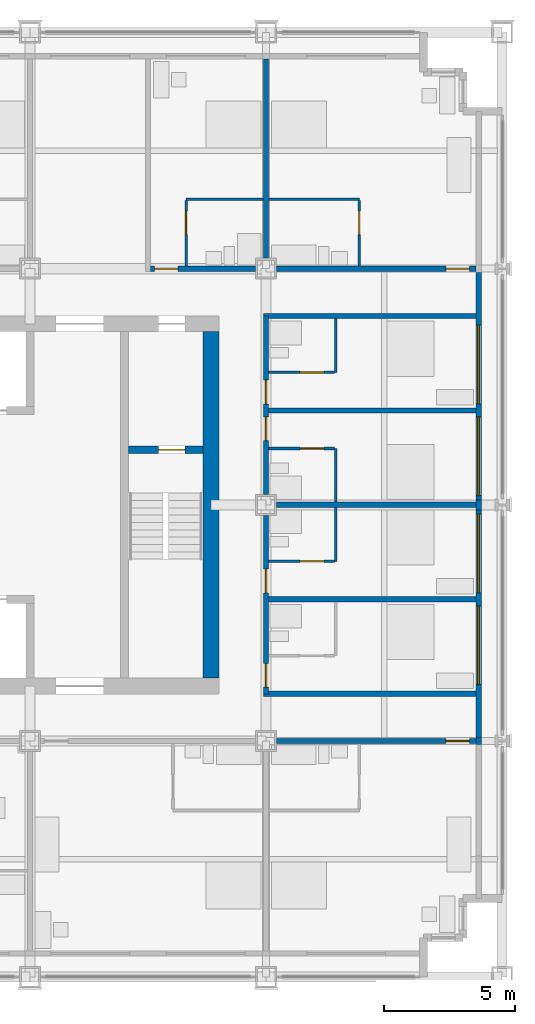
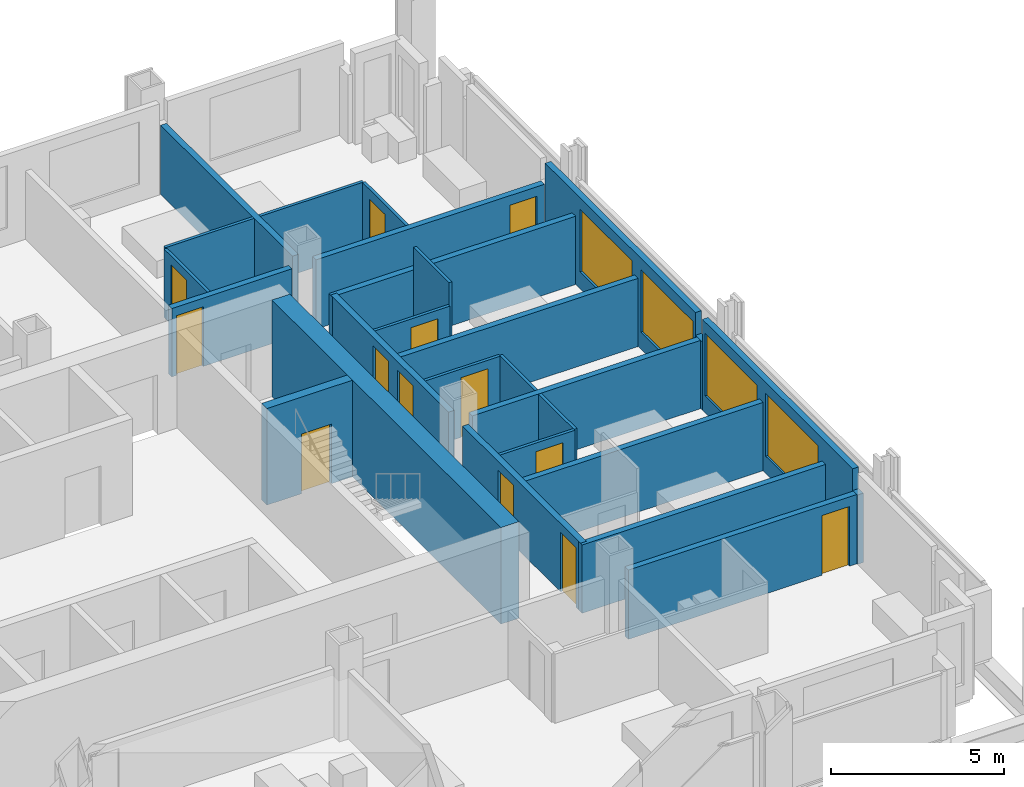
# One storey, part 12 of 16: 27 walls, 13 doors, 4 windows, 17 openings.
"""IFC4 building model written with IfcOpenShell, lengths in metres."""

from ifc_helpers import new_model, si_unit, direction, frame, frame_2d, origin, place, context, subcontext, project, spatial, rectangle, extrude, material, layer, layer_set, type_object, element, fill, save


model = new_model("IFC4")

# Units and contexts
model_context = context("Model", 3, precision=1e-05, world=origin(), true_north=direction((0.0, 1.0)))
body_context = subcontext(model_context, "Body", "Model", "MODEL_VIEW")
ifc_project = project(units=[si_unit("LENGTHUNIT", "METRE"), si_unit("AREAUNIT", "SQUARE_METRE"), si_unit("VOLUMEUNIT", "CUBIC_METRE"), si_unit("PLANEANGLEUNIT", "RADIAN"), si_unit("MASSUNIT", "GRAM", prefix="KILO")], contexts=[model_context])

# Site, building, storey
site_placement = place(None, origin())
site = spatial("IfcSite", under=ifc_project, at=site_placement, CompositionType="ELEMENT")
building_placement = place(site_placement, origin())
building = spatial("IfcBuilding", under=site, at=building_placement, Name="Loomwork Tower", CompositionType="ELEMENT")
storey_placement = place(building_placement, frame((0.0, 0.0, 114.60009765625)))
storey = spatial("IfcBuildingStorey", under=building, at=storey_placement, Name="L30", CompositionType="ELEMENT", Elevation=114.60009765625)

# Wall, opening, door
ifc_material_1 = material(Name="Concrete 14000 psi (97 MPa)", Category="concrete")
ifc_layer_1 = layer(ifc_material_1, 0.300048828125)
ifc_layer_set_1 = layer_set([ifc_layer_1], Name="Core shear wall 300")
wall_type_1 = type_object("IfcWallType", Name="Core shear wall 300", PredefinedType="SHEAR", material=ifc_layer_set_1)
wall_1_placement = place(storey_placement, frame((30.75, 20.10009765625, 0.0), z_axis=(0.0, 0.0, 1.0), x_axis=(1.0, 0.0, 0.0)))
wall_1 = element("IfcWall", 1, at=wall_1_placement, inside=storey, type_object=wall_type_1, Name="Stair B north wall L30", PredefinedType="SHEAR", context=body_context, shape_type="SweptSolid", body=[
    extrude(rectangle(XDim=2.85009765625, YDim=0.300048828125, at=frame_2d((1.425048828125, 0.0))), origin(), (0.0, 0.0, 1.0), 3.39990234375),
])
opening_1_placement = place(wall_1_placement, frame((1.14990234375, 0.0, 0.0)))
opening_1 = element("IfcOpeningElement", 2, at=opening_1_placement, cuts=wall_1, Name="Opening D4", PredefinedType="OPENING", context=body_context, shape_type="SweptSolid", body=[
    extrude(rectangle(XDim=1.0, YDim=2.10009765625, at=frame_2d((0.5, 1.050048828125))), frame((0.0, 0.159912109375, 0.0), z_axis=(0.0, -1.0, 0.0), x_axis=(1.0, 0.0, 0.0)), (0.0, 0.0, 1.0), 0.320068359375),
])
ifc_material_2 = material(Name="Hollow metal door and frame")
door_type_1 = type_object("IfcDoorType", Name="Stair door 1000", OperationType="SINGLE_SWING_RIGHT", PredefinedType="DOOR", material=ifc_material_2)
door_1_placement = place(opening_1_placement, frame((1.0, 0.0, 0.0), z_axis=(0.0, 0.0, 1.0), x_axis=(-1.0, 0.0, 0.0)))
door_1 = element("IfcDoor", 3, at=door_1_placement, inside=storey, type_object=door_type_1, Name="Stair B door", OperationType="SINGLE_SWING_LEFT", OverallHeight=2.10009765625, OverallWidth=1.0, PredefinedType="DOOR", context=body_context, shape_type="SweptSolid", body=[
    extrude(rectangle(XDim=1.0, YDim=2.10009765625, at=frame_2d((0.5, 1.050048828125))), frame((0.0, 0.02490234375, 0.0), z_axis=(0.0, -1.0, 0.0), x_axis=(1.0, 0.0, 0.0)), (0.0, 0.0, 1.0), 0.050048828125),
])
fill(opening_1, door_1)

# Wall
ifc_material_3 = material(Name="Concrete 14000 psi (97 MPa)", Category="concrete")
ifc_layer_2 = layer(ifc_material_3, 0.60009765625)
ifc_layer_set_2 = layer_set([ifc_layer_2], Name="Core shear wall 600")
wall_type_2 = type_object("IfcWallType", Name="Core shear wall 600", PredefinedType="SHEAR", material=ifc_layer_set_2)
wall_2_placement = place(storey_placement, frame((33.89990234375, 11.39990234375, 0.0), z_axis=(0.0, 0.0, 1.0), x_axis=(0.0, 1.0, 0.0)))
element("IfcWall", 4, at=wall_2_placement, inside=storey, type_object=wall_type_2, Name="Core wall east L30", PredefinedType="SHEAR", context=body_context, shape_type="SweptSolid", body=[
    extrude(rectangle(XDim=13.2001953125, YDim=0.60009765625, at=frame_2d((6.60009765625, 0.0))), origin(), (0.0, 0.0, 1.0), 3.39990234375),
])

# Wall, opening, door
ifc_material_4 = material(Name="Gypsum board on steel studs, one-hour", Category="steel")
ifc_layer_3 = layer(ifc_material_4, 0.199951171875)
ifc_layer_set_3 = layer_set([ifc_layer_3], Name="Corridor wall 200")
wall_type_3 = type_object("IfcWallType", Name="Corridor wall 200", PredefinedType="PARTITIONING", material=ifc_layer_set_3)
wall_3_placement = place(storey_placement, frame((36.39990234375, 9.0, 0.0), z_axis=(0.0, 0.0, 1.0), x_axis=(1.0, 0.0, 0.0)))
wall_3 = element("IfcWall", 5, at=wall_3_placement, inside=storey, type_object=wall_type_3, Name="South corridor wall 5", PredefinedType="PARTITIONING", context=body_context, shape_type="SweptSolid", body=[
    extrude(rectangle(XDim=7.60009765625, YDim=0.199951171875, at=frame_2d((3.800048828125, 0.0))), origin(), (0.0, 0.0, 1.0), 2.43798828125),
])
opening_2_placement = place(wall_3_placement, frame((6.449951171875, 0.0, 0.0)))
opening_2 = element("IfcOpeningElement", 6, at=opening_2_placement, cuts=wall_3, Name="Opening D1", PredefinedType="OPENING", context=body_context, shape_type="SweptSolid", body=[
    extrude(rectangle(XDim=0.89990234375, YDim=2.10009765625, at=frame_2d((0.449951171875, 1.050048828125))), frame((0.0, 0.10986328125, 0.0), z_axis=(0.0, -1.0, 0.0), x_axis=(1.0, 0.0, 0.0)), (0.0, 0.0, 1.0), 0.219970703125),
])
ifc_material_5 = material(Name="Hollow metal door and frame")
door_type_2 = type_object("IfcDoorType", Name="Guest room entry door 900", OperationType="SINGLE_SWING_LEFT", PredefinedType="DOOR", material=ifc_material_5)
door_2_placement = place(opening_2_placement, frame((0.89990234375, 0.0, 0.0), z_axis=(0.0, 0.0, 1.0), x_axis=(-1.0, 0.0, 0.0)))
door_2 = element("IfcDoor", 7, at=door_2_placement, inside=storey, type_object=door_type_2, Name="Guest room entry door L30 5", OperationType="SINGLE_SWING_LEFT", OverallHeight=2.10009765625, OverallWidth=0.89990234375, PredefinedType="DOOR", context=body_context, shape_type="SweptSolid", body=[
    extrude(rectangle(XDim=0.89990234375, YDim=2.10009765625, at=frame_2d((0.449951171875, 1.050048828125))), frame((0.0, 0.02490234375, 0.0), z_axis=(0.0, -1.0, 0.0), x_axis=(1.0, 0.0, 0.0)), (0.0, 0.0, 1.0), 0.050048828125),
])
fill(opening_2, door_2)

wall_4_placement = place(storey_placement, frame((31.60009765625, 27.0, 0.0), z_axis=(0.0, 0.0, 1.0), x_axis=(1.0, 0.0, 0.0)))
wall_4 = element("IfcWall", 8, at=wall_4_placement, inside=storey, type_object=wall_type_3, Name="North corridor wall 4", PredefinedType="PARTITIONING", context=body_context, shape_type="SweptSolid", body=[
    extrude(rectangle(XDim=4.0, YDim=0.199951171875, at=frame_2d((2.0, 0.0))), origin(), (0.0, 0.0, 1.0), 2.40478515625),
])
opening_3_placement = place(wall_4_placement, frame((0.14990234375, 0.0, 0.0)))
opening_3 = element("IfcOpeningElement", 9, at=opening_3_placement, cuts=wall_4, Name="Opening D1", PredefinedType="OPENING", context=body_context, shape_type="SweptSolid", body=[
    extrude(rectangle(XDim=0.89990234375, YDim=2.10009765625, at=frame_2d((0.449951171875, 1.050048828125))), frame((0.0, 0.10986328125, 0.0), z_axis=(0.0, -1.0, 0.0), x_axis=(1.0, 0.0, 0.0)), (0.0, 0.0, 1.0), 0.219970703125),
])
door_3_placement = place(opening_3_placement, origin())
door_3 = element("IfcDoor", 10, at=door_3_placement, inside=storey, type_object=door_type_2, Name="Guest room entry door L30 9", OperationType="SINGLE_SWING_LEFT", OverallHeight=2.10009765625, OverallWidth=0.89990234375, PredefinedType="DOOR", context=body_context, shape_type="SweptSolid", body=[
    extrude(rectangle(XDim=0.89990234375, YDim=2.10009765625, at=frame_2d((0.449951171875, 1.050048828125))), frame((0.0, 0.02490234375, 0.0), z_axis=(0.0, -1.0, 0.0), x_axis=(1.0, 0.0, 0.0)), (0.0, 0.0, 1.0), 0.050048828125),
])
fill(opening_3, door_3)

wall_5_placement = place(storey_placement, frame((36.39990234375, 27.0, 0.0), z_axis=(0.0, 0.0, 1.0), x_axis=(1.0, 0.0, 0.0)))
wall_5 = element("IfcWall", 11, at=wall_5_placement, inside=storey, type_object=wall_type_3, Name="North corridor wall 5", PredefinedType="PARTITIONING", context=body_context, shape_type="SweptSolid", body=[
    extrude(rectangle(XDim=7.60009765625, YDim=0.199951171875, at=frame_2d((3.800048828125, 0.0))), origin(), (0.0, 0.0, 1.0), 2.43798828125),
])
opening_4_placement = place(wall_5_placement, frame((6.449951171875, 0.0, 0.0)))
opening_4 = element("IfcOpeningElement", 12, at=opening_4_placement, cuts=wall_5, Name="Opening D1", PredefinedType="OPENING", context=body_context, shape_type="SweptSolid", body=[
    extrude(rectangle(XDim=0.89990234375, YDim=2.10009765625, at=frame_2d((0.449951171875, 1.050048828125))), frame((0.0, 0.10986328125, 0.0), z_axis=(0.0, -1.0, 0.0), x_axis=(1.0, 0.0, 0.0)), (0.0, 0.0, 1.0), 0.219970703125),
])
door_4_placement = place(opening_4_placement, origin())
door_4 = element("IfcDoor", 13, at=door_4_placement, inside=storey, type_object=door_type_2, Name="Guest room entry door L30 10", OperationType="SINGLE_SWING_RIGHT", OverallHeight=2.10009765625, OverallWidth=0.89990234375, PredefinedType="DOOR", context=body_context, shape_type="SweptSolid", body=[
    extrude(rectangle(XDim=0.89990234375, YDim=2.10009765625, at=frame_2d((0.449951171875, 1.050048828125))), frame((0.0, 0.02490234375, 0.0), z_axis=(0.0, -1.0, 0.0), x_axis=(1.0, 0.0, 0.0)), (0.0, 0.0, 1.0), 0.050048828125),
])
fill(opening_4, door_4)

# Wall, openings, doors
wall_6_placement = place(storey_placement, frame((36.0, 10.800048828125, 0.0), z_axis=(0.0, 0.0, 1.0), x_axis=(0.0, 1.0, 0.0)))
wall_6 = element("IfcWall", 14, at=wall_6_placement, inside=storey, type_object=wall_type_3, Name="East corridor wall 1", PredefinedType="PARTITIONING", context=body_context, shape_type="SweptSolid", body=[
    extrude(rectangle(XDim=6.800048828125, YDim=0.199951171875, at=frame_2d((3.39990234375, 0.0))), origin(), (0.0, 0.0, 1.0), 2.40478515625),
])
opening_5_placement = place(wall_6_placement, frame((0.25, 0.0, 0.0)))
opening_5 = element("IfcOpeningElement", 15, at=opening_5_placement, cuts=wall_6, Name="Opening D1", PredefinedType="OPENING", context=body_context, shape_type="SweptSolid", body=[
    extrude(rectangle(XDim=0.89990234375, YDim=2.10009765625, at=frame_2d((0.449951171875, 1.050048828125))), frame((0.0, 0.10986328125, 0.0), z_axis=(0.0, -1.0, 0.0), x_axis=(1.0, 0.0, 0.0)), (0.0, 0.0, 1.0), 0.219970703125),
])
opening_6_placement = place(wall_6_placement, frame((3.85009765625, 0.0, 0.0)))
opening_6 = element("IfcOpeningElement", 16, at=opening_6_placement, cuts=wall_6, Name="Opening D1", PredefinedType="OPENING", context=body_context, shape_type="SweptSolid", body=[
    extrude(rectangle(XDim=0.89990234375, YDim=2.10009765625, at=frame_2d((0.449951171875, 1.050048828125))), frame((0.0, 0.10986328125, 0.0), z_axis=(0.0, -1.0, 0.0), x_axis=(1.0, 0.0, 0.0)), (0.0, 0.0, 1.0), 0.219970703125),
])
door_5_placement = place(opening_5_placement, frame((0.89990234375, 0.0, 0.0), z_axis=(0.0, 0.0, 1.0), x_axis=(-1.0, 0.0, 0.0)))
door_5 = element("IfcDoor", 17, at=door_5_placement, inside=storey, type_object=door_type_2, Name="Guest room entry door L30 15", OperationType="SINGLE_SWING_RIGHT", OverallHeight=2.10009765625, OverallWidth=0.89990234375, PredefinedType="DOOR", context=body_context, shape_type="SweptSolid", body=[
    extrude(rectangle(XDim=0.89990234375, YDim=2.10009765625, at=frame_2d((0.449951171875, 1.050048828125))), frame((0.0, 0.02490234375, 0.0), z_axis=(0.0, -1.0, 0.0), x_axis=(1.0, 0.0, 0.0)), (0.0, 0.0, 1.0), 0.050048828125),
])
fill(opening_5, door_5)
door_6_placement = place(opening_6_placement, frame((0.89990234375, 0.0, 0.0), z_axis=(0.0, 0.0, 1.0), x_axis=(-1.0, 0.0, 0.0)))
door_6 = element("IfcDoor", 18, at=door_6_placement, inside=storey, type_object=door_type_2, Name="Guest room entry door L30 16", OperationType="SINGLE_SWING_RIGHT", OverallHeight=2.10009765625, OverallWidth=0.89990234375, PredefinedType="DOOR", context=body_context, shape_type="SweptSolid", body=[
    extrude(rectangle(XDim=0.89990234375, YDim=2.10009765625, at=frame_2d((0.449951171875, 1.050048828125))), frame((0.0, 0.02490234375, 0.0), z_axis=(0.0, -1.0, 0.0), x_axis=(1.0, 0.0, 0.0)), (0.0, 0.0, 1.0), 0.050048828125),
])
fill(opening_6, door_6)

wall_7_placement = place(storey_placement, frame((36.0, 18.39990234375, 0.0), z_axis=(0.0, 0.0, 1.0), x_axis=(0.0, 1.0, 0.0)))
wall_7 = element("IfcWall", 19, at=wall_7_placement, inside=storey, type_object=wall_type_3, Name="East corridor wall 2", PredefinedType="PARTITIONING", context=body_context, shape_type="SweptSolid", body=[
    extrude(rectangle(XDim=6.800048828125, YDim=0.199951171875, at=frame_2d((3.39990234375, 0.0))), origin(), (0.0, 0.0, 1.0), 2.40478515625),
])
opening_7_placement = place(wall_7_placement, frame((2.050048828125, 0.0, 0.0)))
opening_7 = element("IfcOpeningElement", 20, at=opening_7_placement, cuts=wall_7, Name="Opening D1", PredefinedType="OPENING", context=body_context, shape_type="SweptSolid", body=[
    extrude(rectangle(XDim=0.89990234375, YDim=2.10009765625, at=frame_2d((0.449951171875, 1.050048828125))), frame((0.0, 0.10986328125, 0.0), z_axis=(0.0, -1.0, 0.0), x_axis=(1.0, 0.0, 0.0)), (0.0, 0.0, 1.0), 0.219970703125),
])
opening_8_placement = place(wall_7_placement, frame((3.449951171875, 0.0, 0.0)))
opening_8 = element("IfcOpeningElement", 21, at=opening_8_placement, cuts=wall_7, Name="Opening D1", PredefinedType="OPENING", context=body_context, shape_type="SweptSolid", body=[
    extrude(rectangle(XDim=0.89990234375, YDim=2.10009765625, at=frame_2d((0.449951171875, 1.050048828125))), frame((0.0, 0.10986328125, 0.0), z_axis=(0.0, -1.0, 0.0), x_axis=(1.0, 0.0, 0.0)), (0.0, 0.0, 1.0), 0.219970703125),
])
door_7_placement = place(opening_7_placement, frame((0.89990234375, 0.0, 0.0), z_axis=(0.0, 0.0, 1.0), x_axis=(-1.0, 0.0, 0.0)))
door_7 = element("IfcDoor", 22, at=door_7_placement, inside=storey, type_object=door_type_2, Name="Guest room entry door L30 17", OperationType="SINGLE_SWING_LEFT", OverallHeight=2.10009765625, OverallWidth=0.89990234375, PredefinedType="DOOR", context=body_context, shape_type="SweptSolid", body=[
    extrude(rectangle(XDim=0.89990234375, YDim=2.10009765625, at=frame_2d((0.449951171875, 1.050048828125))), frame((0.0, 0.02490234375, 0.0), z_axis=(0.0, -1.0, 0.0), x_axis=(1.0, 0.0, 0.0)), (0.0, 0.0, 1.0), 0.050048828125),
])
fill(opening_7, door_7)
door_8_placement = place(opening_8_placement, frame((0.89990234375, 0.0, 0.0), z_axis=(0.0, 0.0, 1.0), x_axis=(-1.0, 0.0, 0.0)))
door_8 = element("IfcDoor", 23, at=door_8_placement, inside=storey, type_object=door_type_2, Name="Guest room entry door L30 18", OperationType="SINGLE_SWING_RIGHT", OverallHeight=2.10009765625, OverallWidth=0.89990234375, PredefinedType="DOOR", context=body_context, shape_type="SweptSolid", body=[
    extrude(rectangle(XDim=0.89990234375, YDim=2.10009765625, at=frame_2d((0.449951171875, 1.050048828125))), frame((0.0, 0.02490234375, 0.0), z_axis=(0.0, -1.0, 0.0), x_axis=(1.0, 0.0, 0.0)), (0.0, 0.0, 1.0), 0.050048828125),
])
fill(opening_8, door_8)

# Walls
for number, where, z_axis, x_axis, name in (
    (24, (35.89990234375, 10.800048828125, 0.0), (0.0, 0.0, 1.0), (1.0, 0.0, 0.0), "East band end wall S"),
    (25, (35.89990234375, 25.199951171875, 0.0), (0.0, 0.0, 1.0), (1.0, 0.0, 0.0), "East band end wall N"),
):
    element("IfcWall", number, at=place(storey_placement, frame(where, z_axis=z_axis, x_axis=x_axis)), inside=storey, type_object=wall_type_3, Name=name, PredefinedType="PARTITIONING", context=body_context, shape_type="SweptSolid", body=[
        extrude(rectangle(XDim=8.10009765625, YDim=0.199951171875, at=frame_2d((4.050048828125, 0.0))), origin(), (0.0, 0.0, 1.0), 2.40380859375),
    ])
ifc_material_6 = material(Name="Cement board on steel studs", Category="steel")
ifc_layer_4 = layer(ifc_material_6, 0.10009765625)
ifc_layer_set_4 = layer_set([ifc_layer_4], Name="En-suite partition 100")
wall_type_4 = type_object("IfcWallType", Name="En-suite partition 100", PredefinedType="PARTITIONING", material=ifc_layer_set_4)
wall_8_placement = place(storey_placement, frame((32.949951171875, 29.64990234375, 0.0), z_axis=(0.0, 0.0, 1.0), x_axis=(1.0, 0.0, 0.0)))
element("IfcWall", 26, at=wall_8_placement, inside=storey, type_object=wall_type_4, Name="En-suite wall L30 room 9", PredefinedType="PARTITIONING", context=body_context, shape_type="SweptSolid", body=[
    extrude(rectangle(XDim=2.949951171875, YDim=0.10009765625, at=frame_2d((1.47509765625, 0.0))), origin(), (0.0, 0.0, 1.0), 2.43798828125),
])

# Wall, opening, door
wall_9_placement = place(storey_placement, frame((32.949951171875, 27.10009765625, 0.0), z_axis=(0.0, 0.0, 1.0), x_axis=(0.0, 1.0, 0.0)))
wall_9 = element("IfcWall", 27, at=wall_9_placement, inside=storey, type_object=wall_type_4, Name="En-suite side wall L30 room 9", PredefinedType="PARTITIONING", context=body_context, shape_type="SweptSolid", body=[
    extrude(rectangle(XDim=2.5, YDim=0.10009765625, at=frame_2d((1.25, 0.0))), origin(), (0.0, 0.0, 1.0), 2.40380859375),
])
opening_9_placement = place(wall_9_placement, frame((1.199951171875, 0.0, 0.0)))
opening_9 = element("IfcOpeningElement", 28, at=opening_9_placement, cuts=wall_9, Name="Opening D2", PredefinedType="OPENING", context=body_context, shape_type="SweptSolid", body=[
    extrude(rectangle(XDim=0.89990234375, YDim=2.10009765625, at=frame_2d((0.449951171875, 1.050048828125))), frame((0.0, 0.06005859375, 0.0), z_axis=(0.0, -1.0, 0.0), x_axis=(1.0, 0.0, 0.0)), (0.0, 0.0, 1.0), 0.1201171875),
])
ifc_material_7 = material(Name="Hollow metal door and frame")
door_type_3 = type_object("IfcDoorType", Name="En-suite door 900", OperationType="SINGLE_SWING_LEFT", PredefinedType="DOOR", material=ifc_material_7)
door_9_placement = place(opening_9_placement, frame((0.89990234375, 0.0, 0.0), z_axis=(0.0, 0.0, 1.0), x_axis=(-1.0, 0.0, 0.0)))
door_9 = element("IfcDoor", 29, at=door_9_placement, inside=storey, type_object=door_type_3, Name="En-suite door room 9", OperationType="SINGLE_SWING_LEFT", OverallHeight=2.10009765625, OverallWidth=0.89990234375, PredefinedType="DOOR", context=body_context, shape_type="SweptSolid", body=[
    extrude(rectangle(XDim=0.89990234375, YDim=2.10009765625, at=frame_2d((0.449951171875, 1.050048828125))), frame((0.0, 0.02490234375, 0.0), z_axis=(0.0, -1.0, 0.0), x_axis=(1.0, 0.0, 0.0)), (0.0, 0.0, 1.0), 0.050048828125),
])
fill(opening_9, door_9)

# Wall
wall_10_placement = place(storey_placement, frame((36.10009765625, 29.64990234375, 0.0), z_axis=(0.0, 0.0, 1.0), x_axis=(1.0, 0.0, 0.0)))
element("IfcWall", 30, at=wall_10_placement, inside=storey, type_object=wall_type_4, Name="En-suite wall L30 room 10", PredefinedType="PARTITIONING", context=body_context, shape_type="SweptSolid", body=[
    extrude(rectangle(XDim=3.449951171875, YDim=0.10009765625, at=frame_2d((1.72509765625, 0.0))), origin(), (0.0, 0.0, 1.0), 2.43798828125),
])

# Wall, opening, door
wall_11_placement = place(storey_placement, frame((39.550048828125, 27.10009765625, 0.0), z_axis=(0.0, 0.0, 1.0), x_axis=(0.0, 1.0, 0.0)))
wall_11 = element("IfcWall", 31, at=wall_11_placement, inside=storey, type_object=wall_type_4, Name="En-suite side wall L30 room 10", PredefinedType="PARTITIONING", context=body_context, shape_type="SweptSolid", body=[
    extrude(rectangle(XDim=2.5, YDim=0.10009765625, at=frame_2d((1.25, 0.0))), origin(), (0.0, 0.0, 1.0), 2.43798828125),
])
opening_10_placement = place(wall_11_placement, frame((1.199951171875, 0.0, 0.0)))
opening_10 = element("IfcOpeningElement", 32, at=opening_10_placement, cuts=wall_11, Name="Opening D2", PredefinedType="OPENING", context=body_context, shape_type="SweptSolid", body=[
    extrude(rectangle(XDim=0.89990234375, YDim=2.10009765625, at=frame_2d((0.449951171875, 1.050048828125))), frame((0.0, 0.06005859375, 0.0), z_axis=(0.0, -1.0, 0.0), x_axis=(1.0, 0.0, 0.0)), (0.0, 0.0, 1.0), 0.1201171875),
])
door_10_placement = place(opening_10_placement, origin())
door_10 = element("IfcDoor", 33, at=door_10_placement, inside=storey, type_object=door_type_3, Name="En-suite door room 10", OperationType="SINGLE_SWING_RIGHT", OverallHeight=2.10009765625, OverallWidth=0.89990234375, PredefinedType="DOOR", context=body_context, shape_type="SweptSolid", body=[
    extrude(rectangle(XDim=0.89990234375, YDim=2.10009765625, at=frame_2d((0.449951171875, 1.050048828125))), frame((0.0, 0.02490234375, 0.0), z_axis=(0.0, -1.0, 0.0), x_axis=(1.0, 0.0, 0.0)), (0.0, 0.0, 1.0), 0.050048828125),
])
fill(opening_10, door_10)

# Wall
wall_12_placement = place(storey_placement, frame((38.64990234375, 15.85009765625, 0.0), z_axis=(0.0, 0.0, 1.0), x_axis=(0.0, 1.0, 0.0)))
element("IfcWall", 34, at=wall_12_placement, inside=storey, type_object=wall_type_4, Name="En-suite wall L30 room 16", PredefinedType="PARTITIONING", context=body_context, shape_type="SweptSolid", body=[
    extrude(rectangle(XDim=2.0498046875, YDim=0.10009765625, at=frame_2d((1.02490234375, 0.0))), origin(), (0.0, 0.0, 1.0), 2.40380859375),
])

# Wall, opening, door
wall_13_placement = place(storey_placement, frame((36.10009765625, 15.85009765625, 0.0), z_axis=(0.0, 0.0, 1.0), x_axis=(1.0, 0.0, 0.0)))
wall_13 = element("IfcWall", 35, at=wall_13_placement, inside=storey, type_object=wall_type_4, Name="En-suite side wall L30 room 16", PredefinedType="PARTITIONING", context=body_context, shape_type="SweptSolid", body=[
    extrude(rectangle(XDim=2.5, YDim=0.10009765625, at=frame_2d((1.25, 0.0))), origin(), (0.0, 0.0, 1.0), 2.40380859375),
])
opening_11_placement = place(wall_13_placement, frame((1.199951171875, 0.0, 0.0)))
opening_11 = element("IfcOpeningElement", 36, at=opening_11_placement, cuts=wall_13, Name="Opening D2", PredefinedType="OPENING", context=body_context, shape_type="SweptSolid", body=[
    extrude(rectangle(XDim=0.89990234375, YDim=2.10009765625, at=frame_2d((0.449951171875, 1.050048828125))), frame((0.0, 0.06005859375, 0.0), z_axis=(0.0, -1.0, 0.0), x_axis=(1.0, 0.0, 0.0)), (0.0, 0.0, 1.0), 0.1201171875),
])
door_11_placement = place(opening_11_placement, origin())
door_11 = element("IfcDoor", 37, at=door_11_placement, inside=storey, type_object=door_type_3, Name="En-suite door room 16", OperationType="SINGLE_SWING_RIGHT", OverallHeight=2.10009765625, OverallWidth=0.89990234375, PredefinedType="DOOR", context=body_context, shape_type="SweptSolid", body=[
    extrude(rectangle(XDim=0.89990234375, YDim=2.10009765625, at=frame_2d((0.449951171875, 1.050048828125))), frame((0.0, 0.02490234375, 0.0), z_axis=(0.0, -1.0, 0.0), x_axis=(1.0, 0.0, 0.0)), (0.0, 0.0, 1.0), 0.050048828125),
])
fill(opening_11, door_11)

# Wall
wall_14_placement = place(storey_placement, frame((38.64990234375, 18.10009765625, 0.0), z_axis=(0.0, 0.0, 1.0), x_axis=(0.0, 1.0, 0.0)))
element("IfcWall", 38, at=wall_14_placement, inside=storey, type_object=wall_type_4, Name="En-suite wall L30 room 17", PredefinedType="PARTITIONING", context=body_context, shape_type="SweptSolid", body=[
    extrude(rectangle(XDim=2.0498046875, YDim=0.10009765625, at=frame_2d((1.02490234375, 0.0))), origin(), (0.0, 0.0, 1.0), 2.40380859375),
])

# Wall, opening, door
wall_15_placement = place(storey_placement, frame((36.10009765625, 20.14990234375, 0.0), z_axis=(0.0, 0.0, 1.0), x_axis=(1.0, 0.0, 0.0)))
wall_15 = element("IfcWall", 39, at=wall_15_placement, inside=storey, type_object=wall_type_4, Name="En-suite side wall L30 room 17", PredefinedType="PARTITIONING", context=body_context, shape_type="SweptSolid", body=[
    extrude(rectangle(XDim=2.5, YDim=0.10009765625, at=frame_2d((1.25, 0.0))), origin(), (0.0, 0.0, 1.0), 2.40380859375),
])
opening_12_placement = place(wall_15_placement, frame((1.199951171875, 0.0, 0.0)))
opening_12 = element("IfcOpeningElement", 40, at=opening_12_placement, cuts=wall_15, Name="Opening D2", PredefinedType="OPENING", context=body_context, shape_type="SweptSolid", body=[
    extrude(rectangle(XDim=0.89990234375, YDim=2.10009765625, at=frame_2d((0.449951171875, 1.050048828125))), frame((0.0, 0.06005859375, 0.0), z_axis=(0.0, -1.0, 0.0), x_axis=(1.0, 0.0, 0.0)), (0.0, 0.0, 1.0), 0.1201171875),
])
door_12_placement = place(opening_12_placement, frame((0.89990234375, 0.0, 0.0), z_axis=(0.0, 0.0, 1.0), x_axis=(-1.0, 0.0, 0.0)))
door_12 = element("IfcDoor", 41, at=door_12_placement, inside=storey, type_object=door_type_3, Name="En-suite door room 17", OperationType="SINGLE_SWING_LEFT", OverallHeight=2.10009765625, OverallWidth=0.89990234375, PredefinedType="DOOR", context=body_context, shape_type="SweptSolid", body=[
    extrude(rectangle(XDim=0.89990234375, YDim=2.10009765625, at=frame_2d((0.449951171875, 1.050048828125))), frame((0.0, 0.02490234375, 0.0), z_axis=(0.0, -1.0, 0.0), x_axis=(1.0, 0.0, 0.0)), (0.0, 0.0, 1.0), 0.050048828125),
])
fill(opening_12, door_12)

# Wall
wall_16_placement = place(storey_placement, frame((38.64990234375, 23.050048828125, 0.0), z_axis=(0.0, 0.0, 1.0), x_axis=(0.0, 1.0, 0.0)))
element("IfcWall", 42, at=wall_16_placement, inside=storey, type_object=wall_type_4, Name="En-suite wall L30 room 18", PredefinedType="PARTITIONING", context=body_context, shape_type="SweptSolid", body=[
    extrude(rectangle(XDim=2.050048828125, YDim=0.10009765625, at=frame_2d((1.02490234375, 0.0))), origin(), (0.0, 0.0, 1.0), 3.199951171875),
])

# Wall, opening, door
wall_17_placement = place(storey_placement, frame((36.10009765625, 23.050048828125, 0.0), z_axis=(0.0, 0.0, 1.0), x_axis=(1.0, 0.0, 0.0)))
wall_17 = element("IfcWall", 43, at=wall_17_placement, inside=storey, type_object=wall_type_4, Name="En-suite side wall L30 room 18", PredefinedType="PARTITIONING", context=body_context, shape_type="SweptSolid", body=[
    extrude(rectangle(XDim=2.5, YDim=0.10009765625, at=frame_2d((1.25, 0.0))), origin(), (0.0, 0.0, 1.0), 2.40380859375),
])
opening_13_placement = place(wall_17_placement, frame((1.199951171875, 0.0, 0.0)))
opening_13 = element("IfcOpeningElement", 44, at=opening_13_placement, cuts=wall_17, Name="Opening D3", PredefinedType="OPENING", context=body_context, shape_type="SweptSolid", body=[
    extrude(rectangle(XDim=0.89990234375, YDim=2.10009765625, at=frame_2d((0.449951171875, 1.050048828125))), frame((0.0, 0.06005859375, 0.0), z_axis=(0.0, -1.0, 0.0), x_axis=(1.0, 0.0, 0.0)), (0.0, 0.0, 1.0), 0.1201171875),
])
ifc_material_8 = material(Name="Hollow metal door and frame")
door_type_4 = type_object("IfcDoorType", Name="Accessible en-suite door 900", OperationType="SLIDING_TO_LEFT", PredefinedType="DOOR", material=ifc_material_8)
door_13_placement = place(opening_13_placement, origin())
door_13 = element("IfcDoor", 45, at=door_13_placement, inside=storey, type_object=door_type_4, Name="Accessible en-suite door room 18", OperationType="SLIDING_TO_LEFT", OverallHeight=2.10009765625, OverallWidth=0.89990234375, PredefinedType="DOOR", context=body_context, shape_type="SweptSolid", body=[
    extrude(rectangle(XDim=0.89990234375, YDim=2.10009765625, at=frame_2d((0.449951171875, 1.050048828125))), frame((0.0, 0.02490234375, 0.0), z_axis=(0.0, -1.0, 0.0), x_axis=(1.0, 0.0, 0.0)), (0.0, 0.0, 1.0), 0.050048828125),
])
fill(opening_13, door_13)

# Walls
ifc_material_9 = material(Name="Gypsum board on steel studs, acoustic", Category="steel")
ifc_layer_5 = layer(ifc_material_9, 0.199951171875)
ifc_layer_set_5 = layer_set([ifc_layer_5], Name="Guest room party wall 200")
wall_type_5 = type_object("IfcWallType", Name="Guest room party wall 200", PredefinedType="PARTITIONING", material=ifc_layer_set_5)
wall_18_placement = place(storey_placement, frame((36.0, 27.39990234375, 0.0), z_axis=(0.0, 0.0, 1.0), x_axis=(0.0, 1.0, 0.0)))
element("IfcWall", 46, at=wall_18_placement, inside=storey, type_object=wall_type_5, Name="Guest room party wall N 36", PredefinedType="PARTITIONING", context=body_context, shape_type="SweptSolid", body=[
    extrude(rectangle(XDim=7.60009765625, YDim=0.199951171875, at=frame_2d((3.800048828125, 0.0))), origin(), (0.0, 0.0, 1.0), 2.43798828125),
])
wall_19_placement = place(storey_placement, frame((36.10009765625, 14.39990234375, 0.0), z_axis=(0.0, 0.0, 1.0), x_axis=(1.0, 0.0, 0.0)))
element("IfcWall", 47, at=wall_19_placement, inside=storey, type_object=wall_type_5, Name="Guest room party wall E 14.4", PredefinedType="PARTITIONING", context=body_context, shape_type="SweptSolid", body=[
    extrude(rectangle(XDim=7.89990234375, YDim=0.199951171875, at=frame_2d((3.949951171875, 0.0))), origin(), (0.0, 0.0, 1.0), 2.40380859375),
])
wall_20_placement = place(storey_placement, frame((36.39990234375, 18.0, 0.0), z_axis=(0.0, 0.0, 1.0), x_axis=(1.0, 0.0, 0.0)))
element("IfcWall", 48, at=wall_20_placement, inside=storey, type_object=wall_type_5, Name="Guest room party wall E 18", PredefinedType="PARTITIONING", context=body_context, shape_type="SweptSolid", body=[
    extrude(rectangle(XDim=7.60009765625, YDim=0.199951171875, at=frame_2d((3.800048828125, 0.0))), origin(), (0.0, 0.0, 1.0), 2.40478515625),
])
wall_21_placement = place(storey_placement, frame((36.10009765625, 21.60009765625, 0.0), z_axis=(0.0, 0.0, 1.0), x_axis=(1.0, 0.0, 0.0)))
element("IfcWall", 49, at=wall_21_placement, inside=storey, type_object=wall_type_5, Name="Guest room party wall E 21.6", PredefinedType="PARTITIONING", context=body_context, shape_type="SweptSolid", body=[
    extrude(rectangle(XDim=7.89990234375, YDim=0.199951171875, at=frame_2d((3.949951171875, 0.0))), origin(), (0.0, 0.0, 1.0), 2.40380859375),
])
ifc_material_10 = material(Name="Insulated steel stud wall with gypsum lining", Category="steel")
ifc_layer_6 = layer(ifc_material_10, 0.199951171875)
ifc_layer_set_6 = layer_set([ifc_layer_6], Name="Inner skin wall 200")
wall_type_6 = type_object("IfcWallType", Name="Inner skin wall 200", PredefinedType="SOLIDWALL", material=ifc_layer_set_6)
wall_22_placement = place(storey_placement, frame((44.10009765625, 8.86474609375, 0.0), z_axis=(0.0, 0.0, 1.0), x_axis=(0.0, 1.0, 0.0)))
element("IfcWall", 50, at=wall_22_placement, inside=storey, type_object=wall_type_6, Name="Inner skin wall E bay 4", PredefinedType="SOLIDWALL", context=body_context, shape_type="SweptSolid", body=[
    extrude(rectangle(XDim=0.2705078125, YDim=0.199951171875, at=frame_2d((0.13525390625, 0.0))), origin(), (0.0, 0.0, 1.0), 2.43798828125),
])

# Wall, openings, windows
wall_23_placement = place(storey_placement, frame((44.10009765625, 9.13525390625, 0.0), z_axis=(0.0, 0.0, 1.0), x_axis=(0.0, 1.0, 0.0)))
wall_23 = element("IfcWall", 51, at=wall_23_placement, inside=storey, type_object=wall_type_6, Name="Inner skin wall E bay 5", PredefinedType="SOLIDWALL", context=body_context, shape_type="SweptSolid", body=[
    extrude(rectangle(XDim=8.6708984375, YDim=0.199951171875, at=frame_2d((4.33544921875, 0.0))), origin(), (0.0, 0.0, 1.0), 3.199951171875),
])
opening_14_placement = place(wall_23_placement, frame((2.0146484375, 0.0, 0.60009765625)))
opening_14 = element("IfcOpeningElement", 52, at=opening_14_placement, cuts=wall_23, Name="Opening CH1", PredefinedType="OPENING", context=body_context, shape_type="SweptSolid", body=[
    extrude(rectangle(XDim=3.0, YDim=2.199951171875, at=frame_2d((1.5, 1.10009765625))), frame((0.0, 0.10986328125, 0.0), z_axis=(0.0, -1.0, 0.0), x_axis=(1.0, 0.0, 0.0)), (0.0, 0.0, 1.0), 0.219970703125),
])
opening_15_placement = place(wall_23_placement, frame((5.5146484375, 0.0, 0.60009765625)))
opening_15 = element("IfcOpeningElement", 53, at=opening_15_placement, cuts=wall_23, Name="Opening CH1", PredefinedType="OPENING", context=body_context, shape_type="SweptSolid", body=[
    extrude(rectangle(XDim=3.0, YDim=2.199951171875, at=frame_2d((1.5, 1.10009765625))), frame((0.0, 0.10986328125, 0.0), z_axis=(0.0, -1.0, 0.0), x_axis=(1.0, 0.0, 0.0)), (0.0, 0.0, 1.0), 0.219970703125),
])
ifc_material_11 = material(Name="Aluminium frame with clear insulated glass", Category="aluminium")
window_type = type_object("IfcWindowType", Name="Chicago window 3000", PartitioningType="TRIPLE_PANEL_VERTICAL", PredefinedType="WINDOW", material=ifc_material_11)
window_1_placement = place(opening_14_placement, origin())
window_1 = element("IfcWindow", 54, at=window_1_placement, inside=storey, type_object=window_type, Name="Chicago window L30 bay 13", OverallHeight=2.199951171875, OverallWidth=3.0, PartitioningType="TRIPLE_PANEL_VERTICAL", PredefinedType="WINDOW", context=body_context, shape_type="SweptSolid", body=[
    extrude(rectangle(XDim=3.0, YDim=2.199951171875, at=frame_2d((1.5, 1.10009765625))), frame((0.0, 0.030029296875, 0.0), z_axis=(0.0, -1.0, 0.0), x_axis=(1.0, 0.0, 0.0)), (0.0, 0.0, 1.0), 0.06005859375),
])
fill(opening_14, window_1)
window_2_placement = place(opening_15_placement, origin())
window_2 = element("IfcWindow", 55, at=window_2_placement, inside=storey, type_object=window_type, Name="Chicago window L30 bay 13", OverallHeight=2.199951171875, OverallWidth=3.0, PartitioningType="TRIPLE_PANEL_VERTICAL", PredefinedType="WINDOW", context=body_context, shape_type="SweptSolid", body=[
    extrude(rectangle(XDim=3.0, YDim=2.199951171875, at=frame_2d((1.5, 1.10009765625))), frame((0.0, 0.030029296875, 0.0), z_axis=(0.0, -1.0, 0.0), x_axis=(1.0, 0.0, 0.0)), (0.0, 0.0, 1.0), 0.06005859375),
])
fill(opening_15, window_2)

# Wall
wall_24_placement = place(storey_placement, frame((44.10009765625, 17.80615234375, 0.0), z_axis=(0.0, 0.0, 1.0), x_axis=(0.0, 1.0, 0.0)))
element("IfcWall", 56, at=wall_24_placement, inside=storey, type_object=wall_type_6, Name="Inner skin wall E bay 6", PredefinedType="SOLIDWALL", context=body_context, shape_type="SweptSolid", body=[
    extrude(rectangle(XDim=0.3876953125, YDim=0.199951171875, at=frame_2d((0.19384765625, 0.0))), origin(), (0.0, 0.0, 1.0), 2.40380859375),
])

# Wall, openings, windows
wall_25_placement = place(storey_placement, frame((44.10009765625, 18.19384765625, 0.0), z_axis=(0.0, 0.0, 1.0), x_axis=(0.0, 1.0, 0.0)))
wall_25 = element("IfcWall", 57, at=wall_25_placement, inside=storey, type_object=wall_type_6, Name="Inner skin wall E bay 7", PredefinedType="SOLIDWALL", context=body_context, shape_type="SweptSolid", body=[
    extrude(rectangle(XDim=8.6708984375, YDim=0.199951171875, at=frame_2d((4.33544921875, 0.0))), origin(), (0.0, 0.0, 1.0), 3.199951171875),
])
opening_16_placement = place(wall_25_placement, frame((0.15625, 0.0, 0.60009765625)))
opening_16 = element("IfcOpeningElement", 58, at=opening_16_placement, cuts=wall_25, Name="Opening CH1", PredefinedType="OPENING", context=body_context, shape_type="SweptSolid", body=[
    extrude(rectangle(XDim=3.0, YDim=2.199951171875, at=frame_2d((1.5, 1.10009765625))), frame((0.0, 0.10986328125, 0.0), z_axis=(0.0, -1.0, 0.0), x_axis=(1.0, 0.0, 0.0)), (0.0, 0.0, 1.0), 0.219970703125),
])
opening_17_placement = place(wall_25_placement, frame((3.65625, 0.0, 0.60009765625)))
opening_17 = element("IfcOpeningElement", 59, at=opening_17_placement, cuts=wall_25, Name="Opening CH1", PredefinedType="OPENING", context=body_context, shape_type="SweptSolid", body=[
    extrude(rectangle(XDim=3.0, YDim=2.199951171875, at=frame_2d((1.5, 1.10009765625))), frame((0.0, 0.10986328125, 0.0), z_axis=(0.0, -1.0, 0.0), x_axis=(1.0, 0.0, 0.0)), (0.0, 0.0, 1.0), 0.219970703125),
])
window_3_placement = place(opening_16_placement, origin())
window_3 = element("IfcWindow", 60, at=window_3_placement, inside=storey, type_object=window_type, Name="Chicago window L30 bay 14", OverallHeight=2.199951171875, OverallWidth=3.0, PartitioningType="TRIPLE_PANEL_VERTICAL", PredefinedType="WINDOW", context=body_context, shape_type="SweptSolid", body=[
    extrude(rectangle(XDim=3.0, YDim=2.199951171875, at=frame_2d((1.5, 1.10009765625))), frame((0.0, 0.030029296875, 0.0), z_axis=(0.0, -1.0, 0.0), x_axis=(1.0, 0.0, 0.0)), (0.0, 0.0, 1.0), 0.06005859375),
])
fill(opening_16, window_3)
window_4_placement = place(opening_17_placement, origin())
window_4 = element("IfcWindow", 61, at=window_4_placement, inside=storey, type_object=window_type, Name="Chicago window L30 bay 14", OverallHeight=2.199951171875, OverallWidth=3.0, PartitioningType="TRIPLE_PANEL_VERTICAL", PredefinedType="WINDOW", context=body_context, shape_type="SweptSolid", body=[
    extrude(rectangle(XDim=3.0, YDim=2.199951171875, at=frame_2d((1.5, 1.10009765625))), frame((0.0, 0.030029296875, 0.0), z_axis=(0.0, -1.0, 0.0), x_axis=(1.0, 0.0, 0.0)), (0.0, 0.0, 1.0), 0.06005859375),
])
fill(opening_17, window_4)

save(model, "model.ifc")
